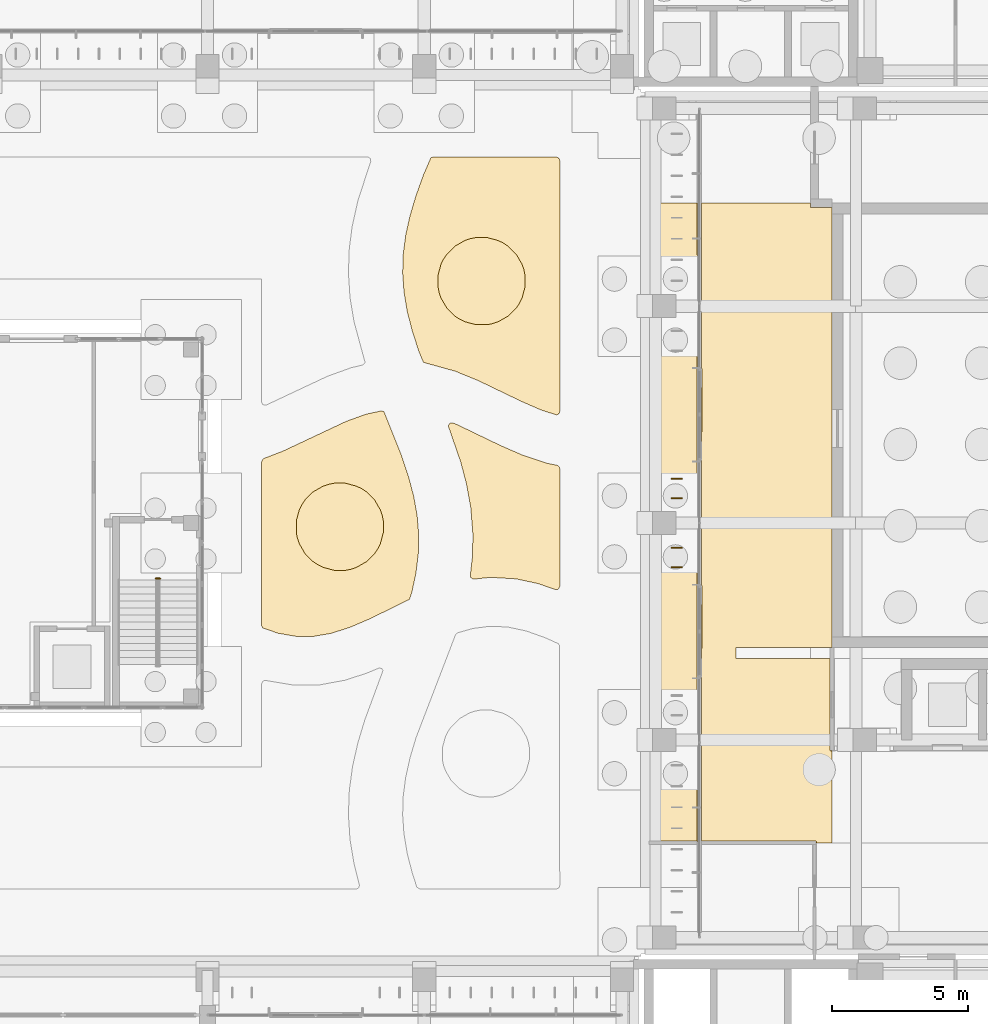
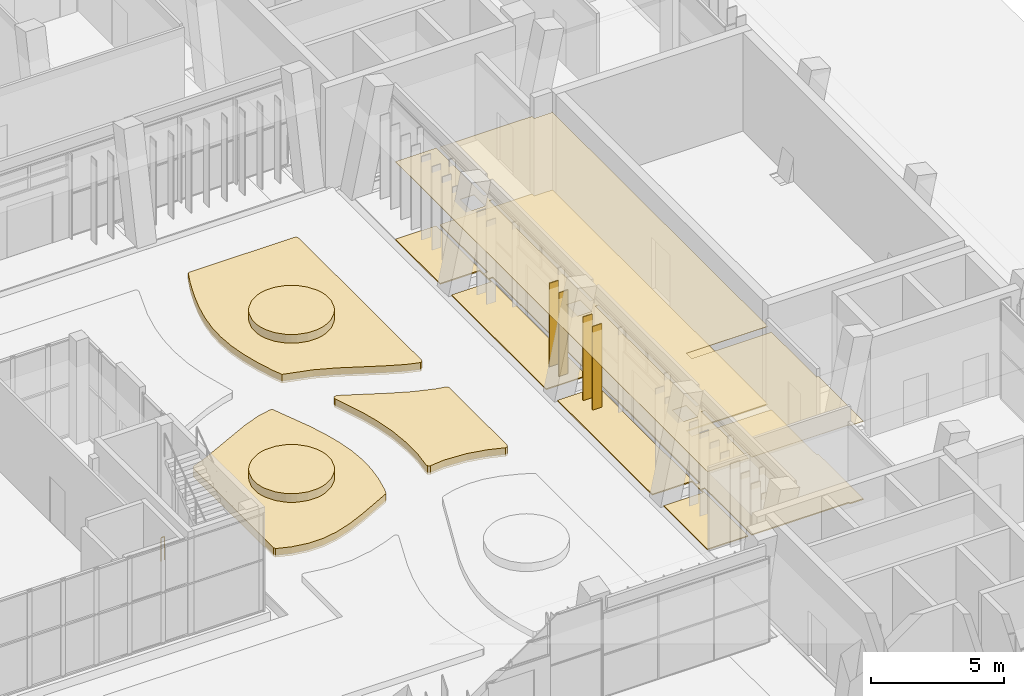
# One storey, part 140 of 144: 7 coverings, 4 shading devices, 1 railing.
"""IFC4 building model written with IfcOpenShell, lengths in metres."""

from ifc_helpers import new_model, si_unit, direction, frame, origin, origin_2d, place, context, subcontext, project, spatial, polyline, rectangle, circle, outline, extrude, material, layer, layer_set, type_object, element, save


model = new_model("IFC4")

# Units and contexts
model_context = context("Model", 3, precision=1e-05, world=origin(), true_north=direction((0.0, 1.0)))
body_context = subcontext(model_context, "Body", "Model", "MODEL_VIEW")
ifc_project = project(units=[si_unit("LENGTHUNIT", "METRE"), si_unit("AREAUNIT", "SQUARE_METRE"), si_unit("VOLUMEUNIT", "CUBIC_METRE"), si_unit("PLANEANGLEUNIT", "RADIAN"), si_unit("MASSUNIT", "GRAM", prefix="KILO")], contexts=[model_context])

# Site, building, storey
site_placement = place(None, origin())
site = spatial("IfcSite", under=ifc_project, at=site_placement, CompositionType="ELEMENT")
building_placement = place(site_placement, origin())
building = spatial("IfcBuilding", under=site, at=building_placement, Name="Lantern Court Media Centre", CompositionType="ELEMENT")
storey_placement = place(building_placement, origin())
storey = spatial("IfcBuildingStorey", under=building, at=storey_placement, Name="L00", CompositionType="ELEMENT", Elevation=0.0)

# Coverings
ifc_material_1 = material(Name="Planting soil")
ifc_layer_1 = layer(ifc_material_1, 0.39990234375)
ifc_layer_set_1 = layer_set([ifc_layer_1], Name="Planting soil")
covering_type_1 = type_object("IfcCoveringType", Name="Court planting bed 400", PredefinedType="USERDEFINED", material=ifc_layer_set_1)
covering_1_placement = place(storey_placement, frame((0.0, 0.0, -0.10009765625)))
element("IfcCovering", 1, at=covering_1_placement, inside=storey, type_object=covering_type_1, Name="Court planting bed", ObjectType="PLANTING BED", PredefinedType="USERDEFINED", context=body_context, shape_type="SweptSolid", body=[
    extrude(outline(polyline([(77.0, 93.3798828125), (77.0, 84.110107421875), (76.964111328125, 84.02392578125), (76.8779296875, 83.989990234375), (76.31494140625, 84.1689453125), (75.574951171875, 84.491943359375), (73.987060546875, 85.257080078125), (73.139892578125, 85.60302734375), (71.970947265625, 85.927978515625), (71.803955078125, 86.3291015625), (71.56005859375, 87.075927734375), (71.3740234375, 87.802978515625), (71.25390625, 88.512939453125), (71.202880859375, 89.22607421875), (71.22509765625, 89.926025390625), (71.318115234375, 90.631103515625), (71.47607421875, 91.343017578125), (71.699951171875, 92.090087890625), (71.970947265625, 92.844970703125), (72.2451171875, 93.47900390625), (72.31201171875, 93.5), (76.8798828125, 93.5), (76.965087890625, 93.465087890625), (77.0, 93.3798828125)])), origin(), (0.0, 0.0, 1.0), 0.400146484375),
])
covering_2_placement = place(storey_placement, frame((0.0, 0.0, -0.10009765625)))
element("IfcCovering", 2, at=covering_2_placement, inside=storey, type_object=covering_type_1, Name="Court planting bed", ObjectType="PLANTING BED", PredefinedType="USERDEFINED", context=body_context, shape_type="SweptSolid", body=[
    extrude(outline(polyline([(76.863037109375, 77.5380859375), (76.19091796875, 77.76708984375), (75.385986328125, 77.93994140625), (74.43798828125, 77.9951171875), (73.81005859375, 77.928955078125), (73.715087890625, 77.986083984375), (73.697998046875, 78.06396484375), (73.780029296875, 78.778076171875), (73.7958984375, 79.577880859375), (73.716064453125, 80.573974609375), (73.555908203125, 81.4541015625), (73.344970703125, 82.25390625), (72.89697265625, 83.551025390625), (72.89892578125, 83.618896484375), (72.947021484375, 83.68310546875), (73.035888671875, 83.699951171875), (73.23291015625, 83.6220703125), (74.805908203125, 82.864013671875), (75.64208984375, 82.4990234375), (76.51806640625, 82.2080078125), (76.9130859375, 82.1279296875), (76.97900390625, 82.080078125), (77.0, 82.011962890625), (77.0, 77.656982421875), (76.9541015625, 77.56298828125), (76.863037109375, 77.5380859375)])), origin(), (0.0, 0.0, 1.0), 0.400146484375),
])
covering_3_placement = place(storey_placement, frame((0.0, 0.0, -0.10009765625)))
element("IfcCovering", 3, at=covering_3_placement, inside=storey, type_object=covering_type_1, Name="Court planting bed", ObjectType="PLANTING BED", PredefinedType="USERDEFINED", context=body_context, shape_type="SweptSolid", body=[
    extrude(outline(polyline([(66.781005859375, 82.65087890625), (69.134033203125, 83.758056640625), (69.85693359375, 84.01708984375), (70.416015625, 84.137939453125), (70.514892578125, 84.10400390625), (71.1689453125, 82.467041015625), (71.41796875, 81.718017578125), (71.610107421875, 80.989013671875), (71.737060546875, 80.277099609375), (71.794921875, 79.575927734375), (71.780029296875, 78.864990234375), (71.695068359375, 78.159912109375), (71.54296875, 77.449951171875), (71.449951171875, 77.179931640625), (70.02197265625, 76.47998046875), (69.287109375, 76.162109375), (68.574951171875, 75.931884765625), (67.922119140625, 75.819091796875), (67.27587890625, 75.818115234375), (66.60693359375, 75.93310546875), (66.033935546875, 76.132080078125), (66.0, 76.216064453125), (66.0, 82.26904296875), (66.06591796875, 82.3759765625), (66.781005859375, 82.65087890625)])), origin(), (0.0, 0.0, 1.0), 0.400146484375),
])
covering_4_placement = place(storey_placement, frame((0.0, 0.0, 0.300048828125)))
element("IfcCovering", 4, at=covering_4_placement, inside=storey, type_object=covering_type_1, Name="Court shrub island", ObjectType="PLANTING BED", PredefinedType="USERDEFINED", context=body_context, shape_type="SweptSolid", body=[
    extrude(outline(polyline([(70.381103515625, 79.242919921875), (70.287109375, 79.052978515625), (70.169921875, 78.8759765625), (69.87109375, 78.576904296875), (69.50390625, 78.365966796875), (69.303955078125, 78.298095703125), (69.095947265625, 78.256103515625), (68.673095703125, 78.256103515625), (68.263916015625, 78.365966796875), (68.073974609375, 78.4599609375), (67.89794921875, 78.576904296875), (67.59912109375, 78.8759765625), (67.387939453125, 79.242919921875), (67.320068359375, 79.443115234375), (67.278076171875, 79.65087890625), (67.278076171875, 80.073974609375), (67.387939453125, 80.48291015625), (67.48095703125, 80.673095703125), (67.59912109375, 80.84912109375), (67.89794921875, 81.14794921875), (68.263916015625, 81.35888671875), (68.465087890625, 81.427001953125), (68.673095703125, 81.468994140625), (69.095947265625, 81.468994140625), (69.50390625, 81.35888671875), (69.694091796875, 81.26611328125), (69.87109375, 81.14794921875), (70.169921875, 80.84912109375), (70.381103515625, 80.48291015625), (70.448974609375, 80.281982421875), (70.490966796875, 80.073974609375), (70.490966796875, 79.65087890625), (70.381103515625, 79.242919921875)])), origin(), (0.0, 0.0, 1.0), 0.39990234375),
])
covering_5_placement = place(storey_placement, frame((0.0, 0.0, 0.300048828125)))
element("IfcCovering", 5, at=covering_5_placement, inside=storey, type_object=covering_type_1, Name="Court shrub island", ObjectType="PLANTING BED", PredefinedType="USERDEFINED", context=body_context, shape_type="SweptSolid", body=[
    extrude(outline(polyline([(75.610107421875, 88.305908203125), (75.51611328125, 88.115966796875), (75.39794921875, 87.93896484375), (75.09912109375, 87.639892578125), (74.73291015625, 87.428955078125), (74.531982421875, 87.361083984375), (74.324951171875, 87.319091796875), (73.902099609375, 87.319091796875), (73.492919921875, 87.428955078125), (73.302978515625, 87.52294921875), (73.126953125, 87.639892578125), (72.827880859375, 87.93896484375), (72.616943359375, 88.305908203125), (72.548095703125, 88.506103515625), (72.507080078125, 88.714111328125), (72.507080078125, 89.136962890625), (72.616943359375, 89.5458984375), (72.7099609375, 89.736083984375), (72.827880859375, 89.912109375), (73.126953125, 90.2109375), (73.492919921875, 90.422119140625), (73.694091796875, 90.489990234375), (73.902099609375, 90.531982421875), (74.324951171875, 90.531982421875), (74.73291015625, 90.422119140625), (74.923095703125, 90.3291015625), (75.09912109375, 90.2109375), (75.39794921875, 89.912109375), (75.610107421875, 89.5458984375), (75.677978515625, 89.344970703125), (75.718994140625, 89.136962890625), (75.718994140625, 88.714111328125), (75.610107421875, 88.305908203125)])), origin(), (0.0, 0.0, 1.0), 0.39990234375),
])

# Railing
ifc_material_2 = material(Name="Powder-coated steel", Category="steel")
railing_type = type_object("IfcRailingType", Name="Stair guard 1100", PredefinedType="GUARDRAIL", material=ifc_material_2)
railing_placement = place(storey_placement, frame((62.10009765625, 77.949951171875, 0.0)))
element("IfcRailing", 6, at=railing_placement, inside=storey, type_object=railing_type, Name="L00 ST-PRESS-ST stair guard 4", PredefinedType="GUARDRAIL", context=body_context, shape_type="SweptSolid", body=[
    extrude(circle(Radius=0.02392578125, at=origin_2d()), frame((0.0, 0.0, 1.076171875), z_axis=(1.0, 0.0, 0.0), x_axis=(0.0, 1.0, 0.0)), (0.0, 0.0, 1.0), 0.14990234375),
    extrude(circle(Radius=0.02099609375, at=origin_2d()), origin(), (0.0, 0.0, 1.0), 1.052001953125),
    extrude(circle(Radius=0.02099609375, at=origin_2d()), frame((0.14990234375, 0.0, 0.0)), (0.0, 0.0, 1.0), 1.052001953125),
])

# Coverings
ifc_material_3 = material(Name="Mineral fibre ceiling tile")
ifc_layer_2 = layer(ifc_material_3, 0.02001953125)
ifc_layer_set_2 = layer_set([ifc_layer_2], Name="Mineral fibre ceiling tile")
covering_type_2 = type_object("IfcCoveringType", Name="Suspended ceiling tile", PredefinedType="CEILING", material=ifc_layer_set_2)
covering_6_placement = place(storey_placement, frame((0.0, 0.0, 3.60009765625)))
element("IfcCovering", 7, at=covering_6_placement, inside=storey, type_object=covering_type_2, Name="Broadcast Lobby ceiling", PredefinedType="CEILING", context=body_context, shape_type="SweptSolid", body=[
    extrude(outline(polyline([(83.5, 75.39990234375), (83.5, 75.0), (86.974609375, 75.0), (86.974609375, 71.60009765625), (87.050048828125, 71.599609375), (87.050048828125, 68.199951171875), (86.462890625, 68.199951171875), (86.46240234375, 68.262939453125), (82.22998046875, 68.262939453125), (82.2255859375, 68.199951171875), (82.22509765625, 71.800537109375), (82.074462890625, 71.800048828125), (82.074462890625, 68.199951171875), (82.070068359375, 68.262939453125), (80.300048828125, 68.262939453125), (80.300048828125, 91.800048828125), (82.074462890625, 91.800048828125), (82.074951171875, 88.199462890625), (82.2255859375, 88.199951171875), (82.2255859375, 91.800048828125), (86.24951171875, 91.800048828125), (86.25, 91.6494140625), (87.045166015625, 91.6494140625), (87.049560546875, 91.800048828125), (87.049560546875, 75.400390625), (83.5, 75.39990234375)]), holes=[polyline([(82.074462890625, 85.700439453125), (82.0595703125, 85.699951171875), (82.074462890625, 80.199951171875), (82.22509765625, 80.199462890625), (82.2255859375, 82.299560546875), (82.240478515625, 82.300048828125), (82.22509765625, 87.800537109375), (82.074462890625, 87.800048828125), (82.074462890625, 85.700439453125)]), polyline([(82.2255859375, 74.299560546875), (82.240478515625, 74.300048828125), (82.2255859375, 79.800048828125), (82.074951171875, 79.800537109375), (82.074462890625, 77.700439453125), (82.0595703125, 77.699951171875), (82.074951171875, 72.199462890625), (82.2255859375, 72.199951171875), (82.2255859375, 74.299560546875)]), polyline([(81.777099609375, 87.574462890625), (81.777587890625, 88.42529296875), (81.1748046875, 88.425537109375), (81.174560546875, 87.57470703125), (81.777099609375, 87.574462890625)]), polyline([(81.777099609375, 79.574462890625), (81.777587890625, 80.42529296875), (81.1748046875, 80.425537109375), (81.174560546875, 79.57470703125), (81.777099609375, 79.574462890625)]), polyline([(81.777099609375, 71.574462890625), (81.777587890625, 72.42529296875), (81.1748046875, 72.425537109375), (81.174560546875, 71.57470703125), (81.777099609375, 71.574462890625)])]), origin(), (0.0, 0.0, 1.0), 0.02001953125),
])
ifc_material_4 = material(Name="Terrazzo")
ifc_layer_3 = layer(ifc_material_4, 0.050048828125)
ifc_layer_set_3 = layer_set([ifc_layer_3], Name="Terrazzo")
covering_type_3 = type_object("IfcCoveringType", Name="Terrazzo floor finish", PredefinedType="FLOORING", material=ifc_layer_set_3)
covering_7_placement = place(storey_placement, origin())
element("IfcCovering", 8, at=covering_7_placement, inside=storey, type_object=covering_type_3, Name="Broadcast Lobby floor finish", PredefinedType="FLOORING", context=body_context, shape_type="SweptSolid", body=[
    extrude(outline(polyline([(83.5, 75.39990234375), (83.5, 75.0), (86.969970703125, 75.0), (86.969970703125, 71.60009765625), (87.050048828125, 71.594970703125), (87.050048828125, 68.199951171875), (86.467529296875, 68.199951171875), (86.46240234375, 68.267578125), (82.22998046875, 68.267578125), (82.22509765625, 71.804931640625), (82.070068359375, 71.800048828125), (82.070068359375, 68.267578125), (80.300048828125, 68.267578125), (80.300048828125, 71.570068359375), (82.030029296875, 71.574951171875), (82.02734375, 72.429443359375), (80.300048828125, 72.429931640625), (80.300048828125, 79.570068359375), (82.030029296875, 79.574951171875), (82.02734375, 80.429443359375), (80.300048828125, 80.429931640625), (80.300048828125, 87.570068359375), (82.030029296875, 87.574951171875), (82.02734375, 88.429443359375), (80.300048828125, 88.429931640625), (80.300048828125, 91.800048828125), (82.070068359375, 91.800048828125), (82.074951171875, 88.195068359375), (82.22998046875, 88.199951171875), (82.22998046875, 91.800048828125), (86.2451171875, 91.800048828125), (86.2490234375, 91.64501953125), (87.044921875, 91.64501953125), (87.044921875, 75.405029296875), (83.5, 75.39990234375)]), holes=[polyline([(82.070068359375, 80.199951171875), (82.22998046875, 80.199951171875), (82.2451171875, 85.699951171875), (82.22998046875, 85.705078125), (82.22509765625, 87.804931640625), (82.070068359375, 87.800048828125), (82.070068359375, 85.705078125), (82.054931640625, 85.699951171875), (82.070068359375, 80.199951171875)]), polyline([(82.2451171875, 77.699951171875), (82.22998046875, 77.705078125), (82.22998046875, 79.800537109375), (82.074462890625, 79.804931640625), (82.070068359375, 77.705078125), (82.054931640625, 77.699951171875), (82.054931640625, 74.300048828125), (82.070068359375, 74.294921875), (82.074951171875, 72.195068359375), (82.22998046875, 72.199951171875), (82.2451171875, 77.699951171875)])]), origin(), (0.0, 0.0, 1.0), 0.050048828125),
])

# Shading devices
ifc_material_5 = material(Name="Bronze anodised aluminium louvre", Category="aluminium")
ifc_layer_4 = layer(ifc_material_5, 0.0400390625)
ifc_layer_set_4 = layer_set([ifc_layer_4], Name="Bronze anodised aluminium louvre")
shading_device_type = type_object("IfcShadingDeviceType", Name="Vertical louvre 40x400 under beam", PredefinedType="USERDEFINED", material=ifc_layer_set_4)
for number, where, z_axis, x_axis, name in (
    (9, (81.320068359375, 78.362548828125, 0.0), (0.0, 0.0, 1.0), (1.0, 0.0, 0.0), "Vertical louvre E inner L00"),
    (10, (81.320068359375, 79.08740234375, 0.0), (0.0, 0.0, 1.0), (1.0, 0.0, 0.0), "Vertical louvre E inner L00"),
    (11, (81.320068359375, 80.91259765625, 0.0), (0.0, 0.0, 1.0), (1.0, 0.0, 0.0), "Vertical louvre E inner L00"),
    (12, (81.320068359375, 81.637451171875, 0.0), (0.0, 0.0, 1.0), (1.0, 0.0, 0.0), "Vertical louvre E inner L00"),
):
    element("IfcShadingDevice", number, at=place(storey_placement, frame(where, z_axis=z_axis, x_axis=x_axis)), inside=storey, type_object=shading_device_type, Name=name, ObjectType="VERTICAL LOUVRE", PredefinedType="USERDEFINED", context=body_context, shape_type="SweptSolid", body=[
        extrude(rectangle(XDim=0.39990234375, YDim=0.0400390625, at=origin_2d()), origin(), (0.0, 0.0, 1.0), 3.89990234375),
    ])

save(model, "model.ifc")
